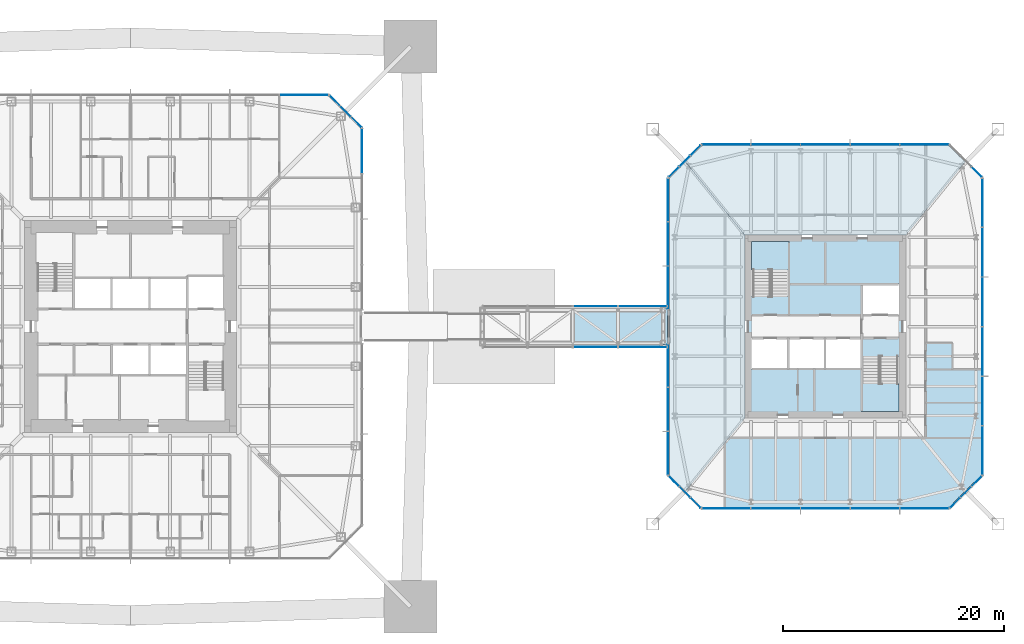
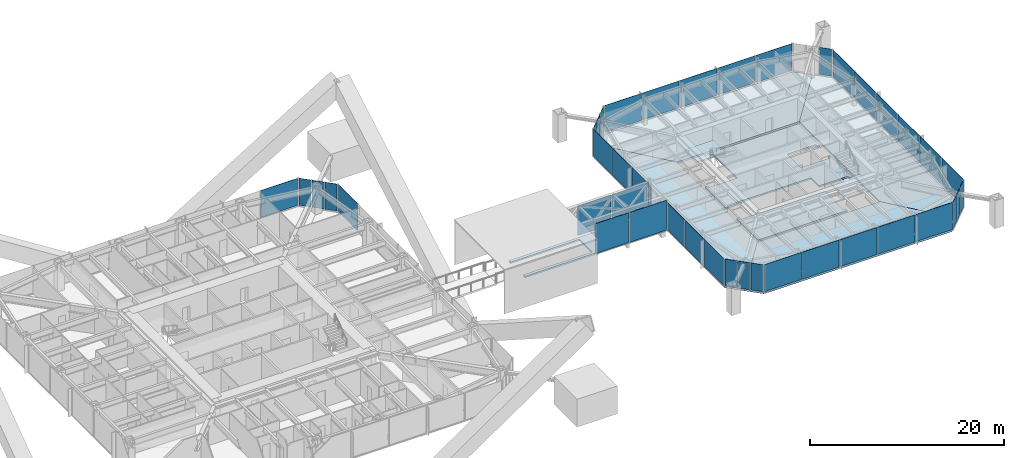
# One storey, part 15 of 28: 41 plates, 9 slabs, 18 elements without a shape of their own.
"""IFC4 building model written with IfcOpenShell, lengths in metres."""

from ifc_helpers import new_model, si_unit, direction, frame, origin, origin_2d, place, context, subcontext, project, spatial, polyline, rectangle, outline, extrude, material, layer, layer_set, constituent, constituent_set, type_object, element, aggregate, save


model = new_model("IFC4")

# Units and contexts
model_context = context("Model", 3, precision=1e-05, world=origin(), true_north=direction((0.0, 1.0)))
body_context = subcontext(model_context, "Body", "Model", "MODEL_VIEW")
ifc_project = project(units=[si_unit("LENGTHUNIT", "METRE"), si_unit("AREAUNIT", "SQUARE_METRE"), si_unit("VOLUMEUNIT", "CUBIC_METRE"), si_unit("PLANEANGLEUNIT", "RADIAN"), si_unit("MASSUNIT", "GRAM", prefix="KILO")], contexts=[model_context])

# Site, building, storey
site_placement = place(None, origin())
site = spatial("IfcSite", under=ifc_project, at=site_placement, CompositionType="ELEMENT")
building_placement = place(site_placement, origin())
building = spatial("IfcBuilding", under=site, at=building_placement, Name="Iwan Alto Co-Living Towers", CompositionType="ELEMENT")
storey_placement = place(building_placement, frame((0.0, 0.0, 98.0)))
storey = spatial("IfcBuildingStorey", under=building, at=storey_placement, Name="L26", CompositionType="ELEMENT", Elevation=98.0)

# Slabs
ifc_material_1 = material(Name="Concrete f'c 30 MPa", Category="concrete")
ifc_layer_1 = layer(ifc_material_1, 0.199951171875)
ifc_layer_set_1 = layer_set([ifc_layer_1], Name="BRIDGE DECK SLAB 200")
slab_type_1 = type_object("IfcSlabType", Name="BRIDGE DECK SLAB 200", PredefinedType="FLOOR", material=ifc_layer_set_1)
slab_1_placement = place(storey_placement, frame((0.0, 0.0, -0.199951171875)))
element("IfcSlab", 1, at=slab_1_placement, inside=storey, type_object=slab_type_1, Name="Skybridge BR1 deck", PredefinedType="FLOOR", context=body_context, shape_type="SweptSolid", body=[
    extrude(outline(polyline([(31.89990234375, -1.64990234375), (48.699951171875, -1.64990234375), (48.699951171875, 1.64990234375), (31.89990234375, 1.64990234375), (31.89990234375, 1.300048828125), (40.10009765625, 1.300048828125), (40.10009765625, -1.300048828125), (31.89990234375, -1.300048828125), (31.89990234375, -1.64990234375)])), origin(), (0.0, 0.0, 1.0), 0.199951171875),
])
ifc_material_2 = material(Name="Concrete f'c 30 MPa", Category="concrete")
ifc_layer_2 = layer(ifc_material_2, 0.199951171875)
ifc_layer_set_2 = layer_set([ifc_layer_2], Name="CORE FLOOR SLAB 200")
slab_type_2 = type_object("IfcSlabType", Name="CORE FLOOR SLAB 200", PredefinedType="FLOOR", material=ifc_layer_set_2)
slab_2_placement = place(storey_placement, frame((0.0, 0.0, -0.199951171875)))
element("IfcSlab", 2, at=slab_2_placement, inside=storey, type_object=slab_type_2, Name="T2 core floor L26", PredefinedType="FLOOR", context=body_context, shape_type="SweptSolid", body=[
    extrude(outline(polyline([(70.0, -3.030029296875), (69.699951171875, -3.030029296875), (69.699951171875, -2.719970703125), (66.300048828125, -2.719970703125), (66.300048828125, -1.050048828125), (62.967041015625, -1.050048828125), (59.633056640625, -1.050048828125), (56.300048828125, -1.050048828125), (56.300048828125, -1.360107421875), (56.0, -1.360107421875), (56.0, 3.030029296875), (56.300048828125, 3.030029296875), (56.300048828125, 2.719970703125), (59.699951171875, 2.719970703125), (59.699951171875, 7.699951171875), (59.389892578125, 7.699951171875), (59.389892578125, 8.0), (70.0, 8.0), (70.0, 3.5400390625), (69.699951171875, 3.5400390625), (69.699951171875, 3.85009765625), (66.300048828125, 3.85009765625), (66.300048828125, 1.050048828125), (69.699951171875, 1.050048828125), (69.699951171875, 1.360107421875), (70.0, 1.360107421875), (70.0, -3.030029296875)])), origin(), (0.0, 0.0, 1.0), 0.199951171875),
])
slab_3_placement = place(storey_placement, frame((0.0, 0.0, -0.199951171875)))
element("IfcSlab", 3, at=slab_3_placement, inside=storey, type_object=slab_type_2, Name="T2 core floor L26", PredefinedType="FLOOR", context=body_context, shape_type="SweptSolid", body=[
    extrude(outline(polyline([(62.967041015625, -3.85009765625), (66.300048828125, -3.85009765625), (66.300048828125, -7.699951171875), (66.610107421875, -7.699951171875), (66.610107421875, -8.0), (56.0, -8.0), (56.0, -3.5400390625), (56.300048828125, -3.5400390625), (56.300048828125, -3.85009765625), (59.633056640625, -3.85009765625), (62.967041015625, -3.85009765625)])), origin(), (0.0, 0.0, 1.0), 0.199951171875),
])

# Curtain wall, plate
ifc_material_3 = material(Name="Bronze aluminium unitised frame", Category="aluminium")
curtain_wall_type_1 = type_object("IfcCurtainWallType", Name="CURTAIN WALL CW-A", PredefinedType="NOTDEFINED", material=ifc_material_3)
curtain_wall_1_placement = place(storey_placement, origin())
curtain_wall_1 = element("IfcCurtainWall", 4, at=curtain_wall_1_placement, inside=storey, type_object=curtain_wall_type_1, Name="T1 curtain wall E L26 part 2", PredefinedType="NOTDEFINED")
ifc_material_4 = material(Name="Bronze-tinted insulating glass", Category="glass")
ifc_layer_3 = layer(ifc_material_4, 0.031982421875)
ifc_layer_set_3 = layer_set([ifc_layer_3], Name="CW-A PANEL TINTED IGU 32")
plate_type_1 = type_object("IfcPlateType", Name="CW-A PANEL TINTED IGU 32", PredefinedType="CURTAIN_PANEL", material=ifc_layer_set_3)
plate_1_placement = place(storey_placement, frame((21.0, 15.91748046875, 0.10009765625), z_axis=(0.0, 0.0, 1.0), x_axis=(0.0, 1.0, 0.0)))
plate_1 = element("IfcPlate", 5, at=plate_1_placement, type_object=plate_type_1, Name="CW-A panel 4.1", PredefinedType="CURTAIN_PANEL", context=body_context, shape_type="SweptSolid", body=[
    extrude(rectangle(XDim=4.0048828125, YDim=0.031982421875, at=origin_2d()), origin(), (0.0, 0.0, 1.0), 3.39990234375),
])
aggregate(curtain_wall_1, [plate_1])

curtain_wall_2_placement = place(storey_placement, origin())
curtain_wall_2 = element("IfcCurtainWall", 6, at=curtain_wall_2_placement, inside=storey, type_object=curtain_wall_type_1, Name="T1 curtain wall N L26", PredefinedType="NOTDEFINED")
plate_2_placement = place(storey_placement, frame((15.72998046875, 21.0, 0.10009765625), z_axis=(0.0, 0.0, 1.0), x_axis=(-1.0, 0.0, 0.0)))
plate_2 = element("IfcPlate", 7, at=plate_2_placement, type_object=plate_type_1, Name="CW-A panel 1.1", PredefinedType="CURTAIN_PANEL", context=body_context, shape_type="SweptSolid", body=[
    extrude(rectangle(XDim=4.3798828125, YDim=0.031982421875, at=origin_2d()), origin(), (0.0, 0.0, 1.0), 3.39990234375),
])
aggregate(curtain_wall_2, [plate_2])

# Curtain wall, plates
ifc_material_5 = material(Name="Bronze aluminium unitised frame", Category="aluminium")
curtain_wall_type_2 = type_object("IfcCurtainWallType", Name="CURTAIN WALL CW-B", PredefinedType="NOTDEFINED", material=ifc_material_5)
curtain_wall_3_placement = place(storey_placement, origin())
curtain_wall_3 = element("IfcCurtainWall", 8, at=curtain_wall_3_placement, inside=storey, type_object=curtain_wall_type_2, Name="T1 chamfer curtain wall NE L26", PredefinedType="NOTDEFINED")
ifc_material_6 = material(Name="Bronze-tinted insulating glass", Category="glass")
ifc_layer_4 = layer(ifc_material_6, 0.031982421875)
ifc_layer_set_4 = layer_set([ifc_layer_4], Name="CW-B PANEL TINTED IGU 32")
plate_type_2 = type_object("IfcPlateType", Name="CW-B PANEL TINTED IGU 32", PredefinedType="CURTAIN_PANEL", material=ifc_layer_set_4)
plate_3_placement = place(storey_placement, frame((20.48583984375, 18.51416015625, 0.10009765625), z_axis=(0.0, 0.0, 1.0), x_axis=(-0.707106781187, 0.707106781187, 0.0)))
plate_3 = element("IfcPlate", 9, at=plate_3_placement, type_object=plate_type_2, Name="CW-B panel 1.1", PredefinedType="CURTAIN_PANEL", context=body_context, shape_type="SweptSolid", body=[
    extrude(rectangle(XDim=1.294189453125, YDim=0.031982421875, at=origin_2d()), origin(), (0.0, 0.0, 1.0), 3.39990234375),
])
plate_4_placement = place(storey_placement, frame((19.5, 19.5, 0.10009765625), z_axis=(0.0, 0.0, 1.0), x_axis=(-0.707106781187, 0.707106781187, 0.0)))
plate_4 = element("IfcPlate", 10, at=plate_4_placement, type_object=plate_type_2, Name="CW-B panel 2.1", PredefinedType="CURTAIN_PANEL", context=body_context, shape_type="SweptSolid", body=[
    extrude(rectangle(XDim=1.334228515625, YDim=0.031982421875, at=origin_2d()), origin(), (0.0, 0.0, 1.0), 3.39990234375),
])
plate_5_placement = place(storey_placement, frame((18.51416015625, 20.48583984375, 0.10009765625), z_axis=(0.0, 0.0, 1.0), x_axis=(-0.707106781187, 0.707106781187, 0.0)))
plate_5 = element("IfcPlate", 11, at=plate_5_placement, type_object=plate_type_2, Name="CW-B panel 3.1", PredefinedType="CURTAIN_PANEL", context=body_context, shape_type="SweptSolid", body=[
    extrude(rectangle(XDim=1.294189453125, YDim=0.031982421875, at=origin_2d()), origin(), (0.0, 0.0, 1.0), 3.39990234375),
])
aggregate(curtain_wall_3, [plate_3, plate_4, plate_5])

ifc_material_7 = material(Name="Bronze aluminium unitised frame", Category="aluminium")
curtain_wall_type_3 = type_object("IfcCurtainWallType", Name="CURTAIN WALL CW-C", PredefinedType="NOTDEFINED", material=ifc_material_7)
curtain_wall_4_placement = place(storey_placement, origin())
curtain_wall_4 = element("IfcCurtainWall", 12, at=curtain_wall_4_placement, inside=storey, type_object=curtain_wall_type_3, Name="T2 curtain wall S L26", PredefinedType="NOTDEFINED")
ifc_material_8 = material(Name="Bronze-tinted insulating glass", Category="glass")
ifc_layer_5 = layer(ifc_material_8, 0.031982421875)
ifc_layer_set_5 = layer_set([ifc_layer_5], Name="CW-C PANEL TINTED IGU 32")
plate_type_3 = type_object("IfcPlateType", Name="CW-C PANEL TINTED IGU 32", PredefinedType="CURTAIN_PANEL", material=ifc_layer_set_5)
plate_6_placement = place(storey_placement, frame((54.02001953125, -16.5, 0.10009765625), z_axis=(0.0, 0.0, 1.0), x_axis=(1.0, 0.0, 0.0)))
plate_6 = element("IfcPlate", 13, at=plate_6_placement, type_object=plate_type_3, Name="CW-C panel 1.1", PredefinedType="CURTAIN_PANEL", context=body_context, shape_type="SweptSolid", body=[
    extrude(rectangle(XDim=4.3798828125, YDim=0.031982421875, at=origin_2d()), origin(), (0.0, 0.0, 1.0), 3.39990234375),
])
plate_7_placement = place(storey_placement, frame((58.5, -16.5, 0.10009765625), z_axis=(0.0, 0.0, 1.0), x_axis=(1.0, 0.0, 0.0)))
plate_7 = element("IfcPlate", 14, at=plate_7_placement, type_object=plate_type_3, Name="CW-C panel 2.1", PredefinedType="CURTAIN_PANEL", context=body_context, shape_type="SweptSolid", body=[
    extrude(rectangle(XDim=4.419921875, YDim=0.031982421875, at=origin_2d()), origin(), (0.0, 0.0, 1.0), 3.39990234375),
])
plate_8_placement = place(storey_placement, frame((63.0, -16.5, 0.10009765625), z_axis=(0.0, 0.0, 1.0), x_axis=(1.0, 0.0, 0.0)))
plate_8 = element("IfcPlate", 15, at=plate_8_placement, type_object=plate_type_3, Name="CW-C panel 3.1", PredefinedType="CURTAIN_PANEL", context=body_context, shape_type="SweptSolid", body=[
    extrude(rectangle(XDim=4.419921875, YDim=0.031982421875, at=origin_2d()), origin(), (0.0, 0.0, 1.0), 3.39990234375),
])
plate_9_placement = place(storey_placement, frame((67.5, -16.5, 0.10009765625), z_axis=(0.0, 0.0, 1.0), x_axis=(1.0, 0.0, 0.0)))
plate_9 = element("IfcPlate", 16, at=plate_9_placement, type_object=plate_type_3, Name="CW-C panel 4.1", PredefinedType="CURTAIN_PANEL", context=body_context, shape_type="SweptSolid", body=[
    extrude(rectangle(XDim=4.419921875, YDim=0.031982421875, at=origin_2d()), origin(), (0.0, 0.0, 1.0), 3.39990234375),
])
plate_10_placement = place(storey_placement, frame((71.97998046875, -16.5, 0.10009765625), z_axis=(0.0, 0.0, 1.0), x_axis=(1.0, 0.0, 0.0)))
plate_10 = element("IfcPlate", 17, at=plate_10_placement, type_object=plate_type_3, Name="CW-C panel 5.1", PredefinedType="CURTAIN_PANEL", context=body_context, shape_type="SweptSolid", body=[
    extrude(rectangle(XDim=4.3798828125, YDim=0.031982421875, at=origin_2d()), origin(), (0.0, 0.0, 1.0), 3.39990234375),
])
aggregate(curtain_wall_4, [plate_6, plate_7, plate_8, plate_9, plate_10])

curtain_wall_5_placement = place(storey_placement, origin())
curtain_wall_5 = element("IfcCurtainWall", 18, at=curtain_wall_5_placement, inside=storey, type_object=curtain_wall_type_3, Name="T2 curtain wall E L26", PredefinedType="NOTDEFINED")
plate_11_placement = place(storey_placement, frame((77.25, -6.75, 0.10009765625), z_axis=(0.0, 0.0, 1.0), x_axis=(0.0, 1.0, 0.0)))
plate_11 = element("IfcPlate", 19, at=plate_11_placement, type_object=plate_type_3, Name="CW-C panel 2.1", PredefinedType="CURTAIN_PANEL", context=body_context, shape_type="SweptSolid", body=[
    extrude(rectangle(XDim=4.419921875, YDim=0.031982421875, at=origin_2d()), origin(), (0.0, 0.0, 1.0), 3.39990234375),
])
plate_12_placement = place(storey_placement, frame((77.25, -2.25, 0.10009765625), z_axis=(0.0, 0.0, 1.0), x_axis=(0.0, 1.0, 0.0)))
plate_12 = element("IfcPlate", 20, at=plate_12_placement, type_object=plate_type_3, Name="CW-C panel 3.1", PredefinedType="CURTAIN_PANEL", context=body_context, shape_type="SweptSolid", body=[
    extrude(rectangle(XDim=4.419921875, YDim=0.031982421875, at=origin_2d()), origin(), (0.0, 0.0, 1.0), 3.39990234375),
])
plate_13_placement = place(storey_placement, frame((77.25, 2.25, 0.10009765625), z_axis=(0.0, 0.0, 1.0), x_axis=(0.0, 1.0, 0.0)))
plate_13 = element("IfcPlate", 21, at=plate_13_placement, type_object=plate_type_3, Name="CW-C panel 4.1", PredefinedType="CURTAIN_PANEL", context=body_context, shape_type="SweptSolid", body=[
    extrude(rectangle(XDim=4.419921875, YDim=0.031982421875, at=origin_2d()), origin(), (0.0, 0.0, 1.0), 3.39990234375),
])
plate_14_placement = place(storey_placement, frame((77.25, 6.75, 0.10009765625), z_axis=(0.0, 0.0, 1.0), x_axis=(0.0, 1.0, 0.0)))
plate_14 = element("IfcPlate", 22, at=plate_14_placement, type_object=plate_type_3, Name="CW-C panel 5.1", PredefinedType="CURTAIN_PANEL", context=body_context, shape_type="SweptSolid", body=[
    extrude(rectangle(XDim=4.419921875, YDim=0.031982421875, at=origin_2d()), origin(), (0.0, 0.0, 1.0), 3.39990234375),
])

curtain_wall_6_placement = place(storey_placement, origin())
curtain_wall_6 = element("IfcCurtainWall", 23, at=curtain_wall_6_placement, inside=storey, type_object=curtain_wall_type_3, Name="T2 curtain wall N L26", PredefinedType="NOTDEFINED")
plate_15_placement = place(storey_placement, frame((71.97998046875, 16.5, 0.10009765625), z_axis=(0.0, 0.0, 1.0), x_axis=(-1.0, 0.0, 0.0)))
plate_15 = element("IfcPlate", 24, at=plate_15_placement, type_object=plate_type_3, Name="CW-C panel 1.1", PredefinedType="CURTAIN_PANEL", context=body_context, shape_type="SweptSolid", body=[
    extrude(rectangle(XDim=4.3798828125, YDim=0.031982421875, at=origin_2d()), origin(), (0.0, 0.0, 1.0), 3.39990234375),
])
plate_16_placement = place(storey_placement, frame((67.5, 16.5, 0.10009765625), z_axis=(0.0, 0.0, 1.0), x_axis=(-1.0, 0.0, 0.0)))
plate_16 = element("IfcPlate", 25, at=plate_16_placement, type_object=plate_type_3, Name="CW-C panel 2.1", PredefinedType="CURTAIN_PANEL", context=body_context, shape_type="SweptSolid", body=[
    extrude(rectangle(XDim=4.419921875, YDim=0.031982421875, at=origin_2d()), origin(), (0.0, 0.0, 1.0), 3.39990234375),
])
plate_17_placement = place(storey_placement, frame((63.0, 16.5, 0.10009765625), z_axis=(0.0, 0.0, 1.0), x_axis=(-1.0, 0.0, 0.0)))
plate_17 = element("IfcPlate", 26, at=plate_17_placement, type_object=plate_type_3, Name="CW-C panel 3.1", PredefinedType="CURTAIN_PANEL", context=body_context, shape_type="SweptSolid", body=[
    extrude(rectangle(XDim=4.419921875, YDim=0.031982421875, at=origin_2d()), origin(), (0.0, 0.0, 1.0), 3.39990234375),
])
plate_18_placement = place(storey_placement, frame((58.5, 16.5, 0.10009765625), z_axis=(0.0, 0.0, 1.0), x_axis=(-1.0, 0.0, 0.0)))
plate_18 = element("IfcPlate", 27, at=plate_18_placement, type_object=plate_type_3, Name="CW-C panel 4.1", PredefinedType="CURTAIN_PANEL", context=body_context, shape_type="SweptSolid", body=[
    extrude(rectangle(XDim=4.419921875, YDim=0.031982421875, at=origin_2d()), origin(), (0.0, 0.0, 1.0), 3.39990234375),
])
plate_19_placement = place(storey_placement, frame((54.02001953125, 16.5, 0.10009765625), z_axis=(0.0, 0.0, 1.0), x_axis=(-1.0, 0.0, 0.0)))
plate_19 = element("IfcPlate", 28, at=plate_19_placement, type_object=plate_type_3, Name="CW-C panel 5.1", PredefinedType="CURTAIN_PANEL", context=body_context, shape_type="SweptSolid", body=[
    extrude(rectangle(XDim=4.3798828125, YDim=0.031982421875, at=origin_2d()), origin(), (0.0, 0.0, 1.0), 3.39990234375),
])
aggregate(curtain_wall_6, [plate_15, plate_16, plate_17, plate_18, plate_19])

curtain_wall_7_placement = place(storey_placement, origin())
curtain_wall_7 = element("IfcCurtainWall", 29, at=curtain_wall_7_placement, inside=storey, type_object=curtain_wall_type_3, Name="T2 curtain wall W L26 part 1", PredefinedType="NOTDEFINED")
plate_20_placement = place(storey_placement, frame((48.75, 7.5, 0.10009765625), z_axis=(0.0, 0.0, 1.0), x_axis=(0.0, -1.0, 0.0)))
plate_20 = element("IfcPlate", 30, at=plate_20_placement, type_object=plate_type_3, Name="CW-C panel 2.1", PredefinedType="CURTAIN_PANEL", context=body_context, shape_type="SweptSolid", body=[
    extrude(rectangle(XDim=3.919921875, YDim=0.031982421875, at=origin_2d()), origin(), (0.0, 0.0, 1.0), 3.39990234375),
])
plate_21_placement = place(storey_placement, frame((48.75, 3.52001953125, 0.10009765625), z_axis=(0.0, 0.0, 1.0), x_axis=(0.0, -1.0, 0.0)))
plate_21 = element("IfcPlate", 31, at=plate_21_placement, type_object=plate_type_3, Name="CW-C panel 3.1", PredefinedType="CURTAIN_PANEL", context=body_context, shape_type="SweptSolid", body=[
    extrude(rectangle(XDim=3.8798828125, YDim=0.031982421875, at=origin_2d()), origin(), (0.0, 0.0, 1.0), 3.39990234375),
])

curtain_wall_8_placement = place(storey_placement, origin())
curtain_wall_8 = element("IfcCurtainWall", 32, at=curtain_wall_8_placement, inside=storey, type_object=curtain_wall_type_3, Name="T2 curtain wall W L26 part 2", PredefinedType="NOTDEFINED")
plate_22_placement = place(storey_placement, frame((48.75, -3.52001953125, 0.10009765625), z_axis=(0.0, 0.0, 1.0), x_axis=(0.0, -1.0, 0.0)))
plate_22 = element("IfcPlate", 33, at=plate_22_placement, type_object=plate_type_3, Name="CW-C panel 1.1", PredefinedType="CURTAIN_PANEL", context=body_context, shape_type="SweptSolid", body=[
    extrude(rectangle(XDim=3.8798828125, YDim=0.031982421875, at=origin_2d()), origin(), (0.0, 0.0, 1.0), 3.39990234375),
])
plate_23_placement = place(storey_placement, frame((48.75, -7.5, 0.10009765625), z_axis=(0.0, 0.0, 1.0), x_axis=(0.0, -1.0, 0.0)))
plate_23 = element("IfcPlate", 34, at=plate_23_placement, type_object=plate_type_3, Name="CW-C panel 2.1", PredefinedType="CURTAIN_PANEL", context=body_context, shape_type="SweptSolid", body=[
    extrude(rectangle(XDim=3.919921875, YDim=0.031982421875, at=origin_2d()), origin(), (0.0, 0.0, 1.0), 3.39990234375),
])

# Plate
ifc_material_9 = material(Name="Insulated bronze aluminium spandrel panel", Category="aluminium")
ifc_layer_6 = layer(ifc_material_9, 0.031982421875)
ifc_layer_set_6 = layer_set([ifc_layer_6], Name="CW-C SPANDREL PANEL 32")
plate_type_4 = type_object("IfcPlateType", Name="CW-C SPANDREL PANEL 32", PredefinedType="CURTAIN_PANEL", material=ifc_layer_set_6)
plate_24_placement = place(storey_placement, frame((77.25, -11.22998046875, 0.10009765625), z_axis=(0.0, 0.0, 1.0), x_axis=(0.0, 1.0, 0.0)))
plate_24 = element("IfcPlate", 35, at=plate_24_placement, type_object=plate_type_4, Name="CW-C spandrel panel 1.1 (braced bay)", PredefinedType="CURTAIN_PANEL", context=body_context, shape_type="SweptSolid", body=[
    extrude(rectangle(XDim=4.3798828125, YDim=0.031982421875, at=origin_2d()), origin(), (0.0, 0.0, 1.0), 3.39990234375),
])

plate_25_placement = place(storey_placement, frame((77.25, 11.22998046875, 0.10009765625), z_axis=(0.0, 0.0, 1.0), x_axis=(0.0, 1.0, 0.0)))
plate_25 = element("IfcPlate", 36, at=plate_25_placement, type_object=plate_type_4, Name="CW-C spandrel panel 6.1 (braced bay)", PredefinedType="CURTAIN_PANEL", context=body_context, shape_type="SweptSolid", body=[
    extrude(rectangle(XDim=4.3798828125, YDim=0.031982421875, at=origin_2d()), origin(), (0.0, 0.0, 1.0), 3.39990234375),
])

aggregate(curtain_wall_5, [plate_11, plate_12, plate_13, plate_14, plate_24, plate_25])

plate_26_placement = place(storey_placement, frame((48.75, 11.47998046875, 0.10009765625), z_axis=(0.0, 0.0, 1.0), x_axis=(0.0, -1.0, 0.0)))
plate_26 = element("IfcPlate", 37, at=plate_26_placement, type_object=plate_type_4, Name="CW-C spandrel panel 1.1 (braced bay)", PredefinedType="CURTAIN_PANEL", context=body_context, shape_type="SweptSolid", body=[
    extrude(rectangle(XDim=3.8798828125, YDim=0.031982421875, at=origin_2d()), origin(), (0.0, 0.0, 1.0), 3.39990234375),
])

aggregate(curtain_wall_7, [plate_20, plate_21, plate_26])

plate_27_placement = place(storey_placement, frame((48.75, -11.47998046875, 0.10009765625), z_axis=(0.0, 0.0, 1.0), x_axis=(0.0, -1.0, 0.0)))
plate_27 = element("IfcPlate", 38, at=plate_27_placement, type_object=plate_type_4, Name="CW-C spandrel panel 3.1 (braced bay)", PredefinedType="CURTAIN_PANEL", context=body_context, shape_type="SweptSolid", body=[
    extrude(rectangle(XDim=3.8798828125, YDim=0.031982421875, at=origin_2d()), origin(), (0.0, 0.0, 1.0), 3.39990234375),
])

aggregate(curtain_wall_8, [plate_22, plate_23, plate_27])

# Curtain wall, plates
ifc_material_10 = material(Name="Bronze aluminium unitised frame", Category="aluminium")
curtain_wall_type_4 = type_object("IfcCurtainWallType", Name="CURTAIN WALL CW-D", PredefinedType="NOTDEFINED", material=ifc_material_10)
curtain_wall_9_placement = place(storey_placement, origin())
curtain_wall_9 = element("IfcCurtainWall", 39, at=curtain_wall_9_placement, inside=storey, type_object=curtain_wall_type_4, Name="T2 chamfer curtain wall SE L26", PredefinedType="NOTDEFINED")
ifc_material_11 = material(Name="Bronze-tinted insulating glass", Category="glass")
ifc_layer_7 = layer(ifc_material_11, 0.031982421875)
ifc_layer_set_7 = layer_set([ifc_layer_7], Name="CW-D PANEL TINTED IGU 32")
plate_type_5 = type_object("IfcPlateType", Name="CW-D PANEL TINTED IGU 32", PredefinedType="CURTAIN_PANEL", material=ifc_layer_set_7)
plate_28_placement = place(storey_placement, frame((74.76416015625, -15.98583984375, 0.10009765625), z_axis=(0.0, 0.0, 1.0), x_axis=(0.707106781187, 0.707106781187, 0.0)))
plate_28 = element("IfcPlate", 40, at=plate_28_placement, type_object=plate_type_5, Name="CW-D panel 1.1", PredefinedType="CURTAIN_PANEL", context=body_context, shape_type="SweptSolid", body=[
    extrude(rectangle(XDim=1.294189453125, YDim=0.031982421875, at=origin_2d()), origin(), (0.0, 0.0, 1.0), 3.39990234375),
])
plate_29_placement = place(storey_placement, frame((75.75, -15.0, 0.10009765625), z_axis=(0.0, 0.0, 1.0), x_axis=(0.707106781187, 0.707106781187, 0.0)))
plate_29 = element("IfcPlate", 41, at=plate_29_placement, type_object=plate_type_5, Name="CW-D panel 2.1", PredefinedType="CURTAIN_PANEL", context=body_context, shape_type="SweptSolid", body=[
    extrude(rectangle(XDim=1.334228515625, YDim=0.031982421875, at=origin_2d()), origin(), (0.0, 0.0, 1.0), 3.39990234375),
])
plate_30_placement = place(storey_placement, frame((76.73583984375, -14.01416015625, 0.10009765625), z_axis=(0.0, 0.0, 1.0), x_axis=(0.707106781187, 0.707106781187, 0.0)))
plate_30 = element("IfcPlate", 42, at=plate_30_placement, type_object=plate_type_5, Name="CW-D panel 3.1", PredefinedType="CURTAIN_PANEL", context=body_context, shape_type="SweptSolid", body=[
    extrude(rectangle(XDim=1.294189453125, YDim=0.031982421875, at=origin_2d()), origin(), (0.0, 0.0, 1.0), 3.39990234375),
])
aggregate(curtain_wall_9, [plate_28, plate_29, plate_30])

# Curtain wall, plate
curtain_wall_10_placement = place(storey_placement, origin())
curtain_wall_10 = element("IfcCurtainWall", 43, at=curtain_wall_10_placement, inside=storey, type_object=curtain_wall_type_4, Name="T2 chamfer curtain wall NE L26", PredefinedType="NOTDEFINED")
plate_31_placement = place(storey_placement, frame((76.73583984375, 14.01416015625, 0.10009765625), z_axis=(0.0, 0.0, 1.0), x_axis=(-0.707106781187, 0.707106781187, 0.0)))
plate_31 = element("IfcPlate", 44, at=plate_31_placement, type_object=plate_type_5, Name="CW-D panel 1.1", PredefinedType="CURTAIN_PANEL", context=body_context, shape_type="SweptSolid", body=[
    extrude(rectangle(XDim=1.294189453125, YDim=0.031982421875, at=origin_2d()), origin(), (0.0, 0.0, 1.0), 3.39990234375),
])
aggregate(curtain_wall_10, [plate_31])

# Curtain wall, plates
curtain_wall_11_placement = place(storey_placement, origin())
curtain_wall_11 = element("IfcCurtainWall", 45, at=curtain_wall_11_placement, inside=storey, type_object=curtain_wall_type_4, Name="T2 chamfer curtain wall NW L26", PredefinedType="NOTDEFINED")
plate_32_placement = place(storey_placement, frame((51.23583984375, 15.98583984375, 0.10009765625), z_axis=(0.0, 0.0, 1.0), x_axis=(-0.707106781187, -0.707106781187, 0.0)))
plate_32 = element("IfcPlate", 46, at=plate_32_placement, type_object=plate_type_5, Name="CW-D panel 1.1", PredefinedType="CURTAIN_PANEL", context=body_context, shape_type="SweptSolid", body=[
    extrude(rectangle(XDim=1.294189453125, YDim=0.031982421875, at=origin_2d()), origin(), (0.0, 0.0, 1.0), 3.39990234375),
])
plate_33_placement = place(storey_placement, frame((50.25, 15.0, 0.10009765625), z_axis=(0.0, 0.0, 1.0), x_axis=(-0.707106781187, -0.707106781187, 0.0)))
plate_33 = element("IfcPlate", 47, at=plate_33_placement, type_object=plate_type_5, Name="CW-D panel 2.1", PredefinedType="CURTAIN_PANEL", context=body_context, shape_type="SweptSolid", body=[
    extrude(rectangle(XDim=1.334228515625, YDim=0.031982421875, at=origin_2d()), origin(), (0.0, 0.0, 1.0), 3.39990234375),
])
plate_34_placement = place(storey_placement, frame((49.26416015625, 14.01416015625, 0.10009765625), z_axis=(0.0, 0.0, 1.0), x_axis=(-0.707106781187, -0.707106781187, 0.0)))
plate_34 = element("IfcPlate", 48, at=plate_34_placement, type_object=plate_type_5, Name="CW-D panel 3.1", PredefinedType="CURTAIN_PANEL", context=body_context, shape_type="SweptSolid", body=[
    extrude(rectangle(XDim=1.294189453125, YDim=0.031982421875, at=origin_2d()), origin(), (0.0, 0.0, 1.0), 3.39990234375),
])
aggregate(curtain_wall_11, [plate_32, plate_33, plate_34])

curtain_wall_12_placement = place(storey_placement, origin())
curtain_wall_12 = element("IfcCurtainWall", 49, at=curtain_wall_12_placement, inside=storey, type_object=curtain_wall_type_4, Name="T2 chamfer curtain wall SW L26", PredefinedType="NOTDEFINED")
plate_35_placement = place(storey_placement, frame((49.26416015625, -14.01416015625, 0.10009765625), z_axis=(0.0, 0.0, 1.0), x_axis=(0.707106781187, -0.707106781187, 0.0)))
plate_35 = element("IfcPlate", 50, at=plate_35_placement, type_object=plate_type_5, Name="CW-D panel 1.1", PredefinedType="CURTAIN_PANEL", context=body_context, shape_type="SweptSolid", body=[
    extrude(rectangle(XDim=1.294189453125, YDim=0.031982421875, at=origin_2d()), origin(), (0.0, 0.0, 1.0), 3.39990234375),
])
plate_36_placement = place(storey_placement, frame((50.25, -15.0, 0.10009765625), z_axis=(0.0, 0.0, 1.0), x_axis=(0.707106781187, -0.707106781187, 0.0)))
plate_36 = element("IfcPlate", 51, at=plate_36_placement, type_object=plate_type_5, Name="CW-D panel 2.1", PredefinedType="CURTAIN_PANEL", context=body_context, shape_type="SweptSolid", body=[
    extrude(rectangle(XDim=1.334228515625, YDim=0.031982421875, at=origin_2d()), origin(), (0.0, 0.0, 1.0), 3.39990234375),
])
plate_37_placement = place(storey_placement, frame((51.23583984375, -15.98583984375, 0.10009765625), z_axis=(0.0, 0.0, 1.0), x_axis=(0.707106781187, -0.707106781187, 0.0)))
plate_37 = element("IfcPlate", 52, at=plate_37_placement, type_object=plate_type_5, Name="CW-D panel 3.1", PredefinedType="CURTAIN_PANEL", context=body_context, shape_type="SweptSolid", body=[
    extrude(rectangle(XDim=1.294189453125, YDim=0.031982421875, at=origin_2d()), origin(), (0.0, 0.0, 1.0), 3.39990234375),
])
aggregate(curtain_wall_12, [plate_35, plate_36, plate_37])

# Curtain wall, plate
ifc_material_12 = material(Name="Bronze aluminium stick frame", Category="aluminium")
curtain_wall_type_5 = type_object("IfcCurtainWallType", Name="CURTAIN WALL CW-F", PredefinedType="NOTDEFINED", material=ifc_material_12)
curtain_wall_13_placement = place(storey_placement, origin())
curtain_wall_13 = element("IfcCurtainWall", 53, at=curtain_wall_13_placement, inside=storey, type_object=curtain_wall_type_5, Name="Skybridge BR1 glazing S 3", PredefinedType="NOTDEFINED")
ifc_material_13 = material(Name="Insulated bronze aluminium spandrel panel", Category="aluminium")
ifc_layer_8 = layer(ifc_material_13, 0.031982421875)
ifc_layer_set_8 = layer_set([ifc_layer_8], Name="CW-F SPANDREL PANEL 32")
plate_type_6 = type_object("IfcPlateType", Name="CW-F SPANDREL PANEL 32", PredefinedType="CURTAIN_PANEL", material=ifc_layer_set_8)
plate_38_placement = place(storey_placement, frame((42.14990234375, -1.85009765625, 0.10009765625), z_axis=(0.0, 0.0, 1.0), x_axis=(1.0, 0.0, 0.0)))
plate_38 = element("IfcPlate", 54, at=plate_38_placement, type_object=plate_type_6, Name="CW-F spandrel panel 1.1 (braced bay)", PredefinedType="CURTAIN_PANEL", context=body_context, shape_type="SweptSolid", body=[
    extrude(rectangle(XDim=3.93994140625, YDim=0.031982421875, at=origin_2d()), origin(), (0.0, 0.0, 1.0), 3.75),
])
aggregate(curtain_wall_13, [plate_38])

curtain_wall_14_placement = place(storey_placement, origin())
curtain_wall_14 = element("IfcCurtainWall", 55, at=curtain_wall_14_placement, inside=storey, type_object=curtain_wall_type_5, Name="Skybridge BR1 glazing S 4", PredefinedType="NOTDEFINED")
plate_39_placement = place(storey_placement, frame((46.449951171875, -1.85009765625, 0.10009765625), z_axis=(0.0, 0.0, 1.0), x_axis=(1.0, 0.0, 0.0)))
plate_39 = element("IfcPlate", 56, at=plate_39_placement, type_object=plate_type_6, Name="CW-F spandrel panel 1.1 (braced bay)", PredefinedType="CURTAIN_PANEL", context=body_context, shape_type="SweptSolid", body=[
    extrude(rectangle(XDim=4.340087890625, YDim=0.031982421875, at=origin_2d()), origin(), (0.0, 0.0, 1.0), 3.75),
])
aggregate(curtain_wall_14, [plate_39])

curtain_wall_15_placement = place(storey_placement, origin())
curtain_wall_15 = element("IfcCurtainWall", 57, at=curtain_wall_15_placement, inside=storey, type_object=curtain_wall_type_5, Name="Skybridge BR1 glazing N 3", PredefinedType="NOTDEFINED")
plate_40_placement = place(storey_placement, frame((42.14990234375, 1.85009765625, 0.10009765625), z_axis=(0.0, 0.0, 1.0), x_axis=(-1.0, 0.0, 0.0)))
plate_40 = element("IfcPlate", 58, at=plate_40_placement, type_object=plate_type_6, Name="CW-F spandrel panel 1.1 (braced bay)", PredefinedType="CURTAIN_PANEL", context=body_context, shape_type="SweptSolid", body=[
    extrude(rectangle(XDim=3.93994140625, YDim=0.031982421875, at=origin_2d()), origin(), (0.0, 0.0, 1.0), 3.75),
])
aggregate(curtain_wall_15, [plate_40])

curtain_wall_16_placement = place(storey_placement, origin())
curtain_wall_16 = element("IfcCurtainWall", 59, at=curtain_wall_16_placement, inside=storey, type_object=curtain_wall_type_5, Name="Skybridge BR1 glazing N 4", PredefinedType="NOTDEFINED")
plate_41_placement = place(storey_placement, frame((46.449951171875, 1.85009765625, 0.10009765625), z_axis=(0.0, 0.0, 1.0), x_axis=(-1.0, 0.0, 0.0)))
plate_41 = element("IfcPlate", 60, at=plate_41_placement, type_object=plate_type_6, Name="CW-F spandrel panel 1.1 (braced bay)", PredefinedType="CURTAIN_PANEL", context=body_context, shape_type="SweptSolid", body=[
    extrude(rectangle(XDim=4.340087890625, YDim=0.031982421875, at=origin_2d()), origin(), (0.0, 0.0, 1.0), 3.75),
])
aggregate(curtain_wall_16, [plate_41])

# Stair, slab
ifc_material_14 = material(Name="Steel ASTM A36", Category="steel")
ifc_constituent_1 = constituent(ifc_material_14, Name="Stringers", Category="LoadBearing")
ifc_material_15 = material(Name="Concrete f'c 30 MPa", Category="concrete")
ifc_constituent_2 = constituent(ifc_material_15, Name="Tread fill", Category="Finish")
ifc_constituent_set = constituent_set(constituents=[ifc_constituent_1, ifc_constituent_2], Name="STAIR 3500 TWO-FLIGHT T2 CORE")
stair_type = type_object("IfcStairType", Name="STAIR 3500 TWO-FLIGHT T2 CORE", PredefinedType="HALF_TURN_STAIR", material=ifc_constituent_set)
stair_1_placement = place(storey_placement, origin())
stair_1 = element("IfcStair", 61, at=stair_1_placement, inside=storey, type_object=stair_type, Name="Stair T2-S1 L26 to L27", PredefinedType="HALF_TURN_STAIR")
ifc_material_16 = material(Name="Concrete f'c 30 MPa", Category="concrete")
ifc_layer_9 = layer(ifc_material_16, 0.199951171875)
ifc_layer_set_9 = layer_set([ifc_layer_9], Name="STAIR LANDING 200")
slab_type_3 = type_object("IfcSlabType", Name="STAIR LANDING 200", PredefinedType="LANDING", material=ifc_layer_set_9)
slab_4_placement = place(storey_placement, frame((0.0, 0.0, 1.550048828125)))
slab_4 = element("IfcSlab", 62, at=slab_4_placement, type_object=slab_type_3, Name="T2-S1 landing 1", PredefinedType="LANDING", context=body_context, shape_type="SweptSolid", body=[
    extrude(outline(polyline([(56.300048828125, 5.139892578125), (56.300048828125, 7.699951171875), (59.699951171875, 7.699951171875), (59.699951171875, 5.139892578125), (56.300048828125, 5.139892578125)])), origin(), (0.0, 0.0, 1.0), 0.199951171875),
])
aggregate(stair_1, [slab_4])

stair_2_placement = place(storey_placement, origin())
stair_2 = element("IfcStair", 63, at=stair_2_placement, inside=storey, type_object=stair_type, Name="Stair T2-S2 L26 to L27", PredefinedType="HALF_TURN_STAIR")
slab_5_placement = place(storey_placement, frame((0.0, 0.0, 1.550048828125)))
slab_5 = element("IfcSlab", 64, at=slab_5_placement, type_object=slab_type_3, Name="T2-S2 landing 1", PredefinedType="LANDING", context=body_context, shape_type="SweptSolid", body=[
    extrude(outline(polyline([(66.300048828125, -5.139892578125), (66.300048828125, -7.699951171875), (69.699951171875, -7.699951171875), (69.699951171875, -5.139892578125), (66.300048828125, -5.139892578125)])), origin(), (0.0, 0.0, 1.0), 0.199951171875),
])
aggregate(stair_2, [slab_5])

# Slabs
ifc_material_17 = material(Name="Concrete f'c 30 MPa", Category="concrete")
ifc_layer_10 = layer(ifc_material_17, 0.22998046875)
ifc_layer_set_10 = layer_set([ifc_layer_10], Name="T2 FLOOR SLAB 230")
slab_type_4 = type_object("IfcSlabType", Name="T2 FLOOR SLAB 230", PredefinedType="FLOOR", material=ifc_layer_set_10)
slab_6_placement = place(storey_placement, frame((0.0, 0.0, -0.22998046875)))
element("IfcSlab", 65, at=slab_6_placement, inside=storey, type_object=slab_type_4, Name="T2 floor slab L26 S pour", PredefinedType="FLOOR", context=body_context, shape_type="SweptSolid", body=[
    extrude(outline(polyline([(74.19140625, -16.39990234375), (51.80859375, -16.39990234375), (50.330810546875, -14.92236328125), (55.699951171875, -8.300048828125), (70.300048828125, -8.300048828125), (75.669189453125, -14.92236328125), (74.19140625, -16.39990234375)])), origin(), (0.0, 0.0, 1.0), 0.22998046875),
])
slab_7_placement = place(storey_placement, frame((0.0, 0.0, -0.22998046875)))
element("IfcSlab", 66, at=slab_7_placement, inside=storey, type_object=slab_type_4, Name="T2 floor slab L26 E pour", PredefinedType="FLOOR", context=body_context, shape_type="SweptSolid", body=[
    extrude(outline(polyline([(77.14990234375, 13.44140625), (77.14990234375, -13.44140625), (75.669189453125, -14.92236328125), (70.300048828125, -8.300048828125), (70.300048828125, 8.300048828125), (75.669189453125, 14.92236328125), (77.14990234375, 13.44140625)])), origin(), (0.0, 0.0, 1.0), 0.22998046875),
])
slab_8_placement = place(storey_placement, frame((0.0, 0.0, -0.22998046875)))
element("IfcSlab", 67, at=slab_8_placement, inside=storey, type_object=slab_type_4, Name="T2 floor slab L26 N pour", PredefinedType="FLOOR", context=body_context, shape_type="SweptSolid", body=[
    extrude(outline(polyline([(51.80859375, 16.39990234375), (74.19140625, 16.39990234375), (75.669189453125, 14.92236328125), (70.300048828125, 8.300048828125), (55.699951171875, 8.300048828125), (50.330810546875, 14.92236328125), (51.80859375, 16.39990234375)])), origin(), (0.0, 0.0, 1.0), 0.22998046875),
])
slab_9_placement = place(storey_placement, frame((0.0, 0.0, -0.22998046875)))
element("IfcSlab", 68, at=slab_9_placement, inside=storey, type_object=slab_type_4, Name="T2 floor slab L26 W pour", PredefinedType="FLOOR", context=body_context, shape_type="SweptSolid", body=[
    extrude(outline(polyline([(48.85009765625, 13.44140625), (50.330810546875, 14.92236328125), (55.699951171875, 8.300048828125), (55.699951171875, -8.300048828125), (50.330810546875, -14.92236328125), (48.85009765625, -13.44140625), (48.85009765625, 13.44140625)])), origin(), (0.0, 0.0, 1.0), 0.22998046875),
])

save(model, "model.ifc")
